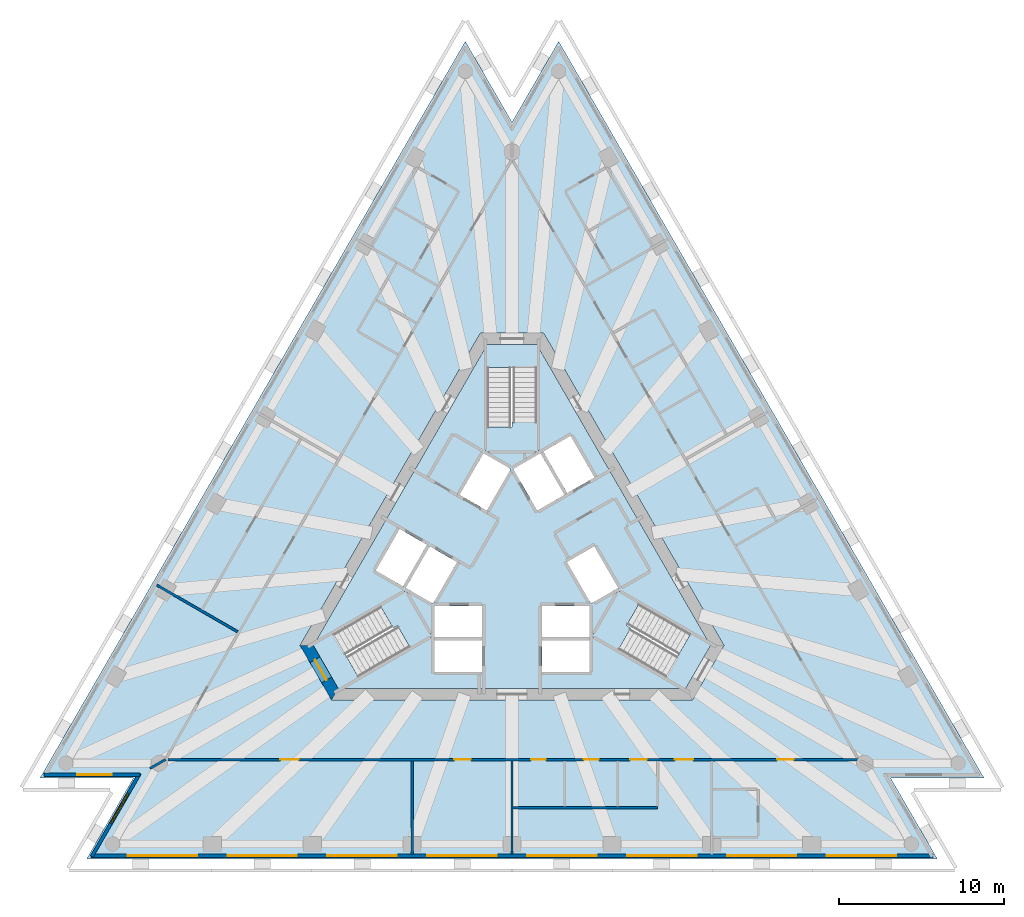
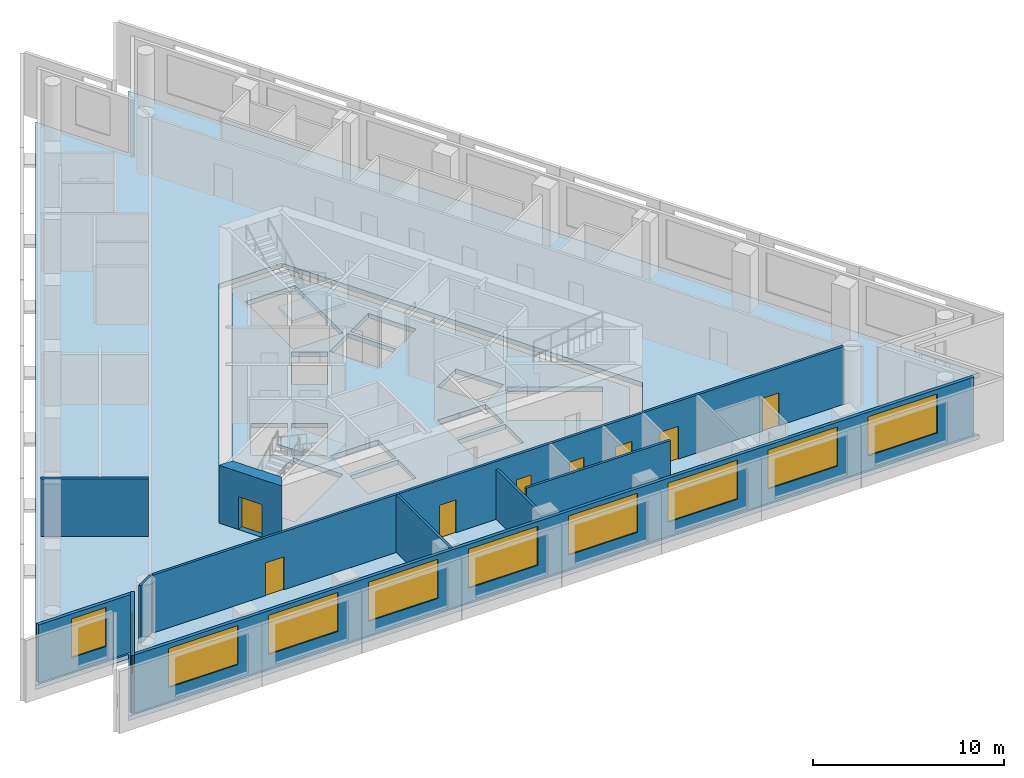
# One storey, part 2 of 9: 10 walls, 10 windows, 8 doors, 5 slabs, 18 openings, 3 elements without a shape of their own.
"""IFC4 building model written with IfcOpenShell, lengths in metres."""

from ifc_helpers import new_model, si_unit, direction, frame, frame_2d, origin, place, context, subcontext, project, spatial, polyline, rectangle, outline, extrude, material, layer, layer_set, layer_usage, type_object, element, fill, aggregate, save


model = new_model("IFC4")

# Units and contexts
model_context = context("Model", 3, precision=1e-05, world=origin(), true_north=direction((0.0, 1.0)))
body_context = subcontext(model_context, "Body", "Model", "MODEL_VIEW")
ifc_project = project(units=[si_unit("LENGTHUNIT", "METRE"), si_unit("AREAUNIT", "SQUARE_METRE"), si_unit("VOLUMEUNIT", "CUBIC_METRE"), si_unit("PLANEANGLEUNIT", "RADIAN"), si_unit("MASSUNIT", "GRAM", prefix="KILO")], contexts=[model_context])

# Site, building, storey
site_placement = place(None, origin())
site = spatial("IfcSite", under=ifc_project, at=site_placement, CompositionType="ELEMENT")
building_placement = place(site_placement, origin())
building = spatial("IfcBuilding", under=site, at=building_placement, Name="Triada Interchange Tower", CompositionType="ELEMENT")
storey_placement = place(building_placement, frame((0.0, 0.0, 215.300048828125)))
storey = spatial("IfcBuildingStorey", under=building, at=storey_placement, Name="L50", CompositionType="ELEMENT", Elevation=215.300048828125)

# Slabs
ifc_material_1 = material(Name="Concrete C50/60", Category="concrete")
ifc_layer_1 = layer(ifc_material_1, 0.300048828125)
ifc_layer_set_1 = layer_set([ifc_layer_1], Name="Floor slab 300")
slab_type_1 = type_object("IfcSlabType", Name="Floor slab 300", PredefinedType="FLOOR", material=ifc_layer_set_1)
slab_1_placement = place(storey_placement, frame((0.0, 0.0, -0.300048828125)))
element("IfcSlab", 1, at=slab_1_placement, inside=storey, type_object=slab_type_1, Name="Floor slab L50", PredefinedType="FLOOR", context=body_context, shape_type="SweptSolid", body=[
    extrude(outline(polyline([(-2.822998046875, 31.330078125), (-28.5439453125, -13.219970703125), (-22.89794921875, -13.219970703125), (-25.720947265625, -18.110107421875), (25.720947265625, -18.110107421875), (22.89794921875, -13.219970703125), (28.5439453125, -13.219970703125), (2.822998046875, 31.330078125), (0.0, 26.44091796875), (-2.822998046875, 31.330078125)]), holes=[polyline([(1.905029296875, 13.699951171875), (-1.905029296875, 13.699951171875), (-12.81689453125, -5.199951171875), (-10.912109375, -8.5), (10.912109375, -8.5), (12.81689453125, -5.199951171875), (1.905029296875, 13.699951171875)])]), origin(), (0.0, 0.0, 1.0), 0.300048828125),
])
slab_2_placement = place(storey_placement, frame((0.0, 0.0, -0.300048828125)))
element("IfcSlab", 2, at=slab_2_placement, inside=storey, type_object=slab_type_1, Name="Core floor slab L50 1", PredefinedType="FLOOR", context=body_context, shape_type="SweptSolid", body=[
    extrude(outline(polyline([(12.009033203125, -5.199951171875), (10.508056640625, -7.800048828125), (-10.508056640625, -7.800048828125), (-12.009033203125, -5.199951171875), (-1.5009765625, 13.0), (1.5009765625, 13.0), (12.009033203125, -5.199951171875)]), holes=[polyline([(9.2958984375, -7.09912109375), (10.7958984375, -4.5009765625), (6.466064453125, -2.0009765625), (4.966064453125, -4.59912109375), (9.2958984375, -7.09912109375)]), polyline([(4.77490234375, -2.669921875), (6.419921875, -1.719970703125), (4.969970703125, 0.791015625), (4.137939453125, 0.31103515625), (3.324951171875, -0.158935546875), (4.77490234375, -2.669921875)]), polyline([(1.89404296875, 6.52001953125), (3.343994140625, 4.009033203125), (4.989013671875, 4.958984375), (3.5390625, 7.469970703125), (1.89404296875, 6.52001953125)]), polyline([(1.800048828125, -4.89990234375), (1.800048828125, -6.4990234375), (1.800048828125, -6.800048828125), (4.699951171875, -6.800048828125), (4.699951171875, -4.89990234375), (1.800048828125, -4.89990234375)]), polyline([(4.699951171875, -2.800048828125), (1.800048828125, -2.800048828125), (1.800048828125, -4.699951171875), (4.699951171875, -4.699951171875), (4.699951171875, -2.800048828125)]), polyline([(0.074951171875, 5.469970703125), (1.52490234375, 2.958984375), (3.169921875, 3.908935546875), (1.719970703125, 6.419921875), (0.074951171875, 5.469970703125)]), polyline([(-1.5, 11.60009765625), (-1.5, 6.60009765625), (1.5, 6.60009765625), (1.5, 11.60009765625), (-1.5, 11.60009765625)]), polyline([(-1.52490234375, 2.958984375), (-0.074951171875, 5.469970703125), (-1.719970703125, 6.419921875), (-3.169921875, 3.908935546875), (-1.52490234375, 2.958984375)]), polyline([(-1.800048828125, -2.800048828125), (-4.699951171875, -2.800048828125), (-4.699951171875, -4.699951171875), (-1.800048828125, -4.699951171875), (-1.800048828125, -2.800048828125)]), polyline([(-4.699951171875, -6.800048828125), (-1.800048828125, -6.800048828125), (-1.800048828125, -6.4990234375), (-1.800048828125, -4.89990234375), (-4.699951171875, -4.89990234375), (-4.699951171875, -6.800048828125)]), polyline([(-3.367919921875, -0.134033203125), (-4.969970703125, 0.791015625), (-6.419921875, -1.719970703125), (-4.77490234375, -2.669921875), (-3.324951171875, -0.158935546875), (-3.367919921875, -0.134033203125)]), polyline([(-10.7958984375, -4.5009765625), (-9.2958984375, -7.09912109375), (-4.966064453125, -4.59912109375), (-6.466064453125, -2.0009765625), (-10.7958984375, -4.5009765625)]), polyline([(-6.593994140625, -1.6201171875), (-5.14404296875, 0.89111328125), (-6.7890625, 1.841064453125), (-8.239013671875, -0.669921875), (-6.593994140625, -1.6201171875)])]), origin(), (0.0, 0.0, 1.0), 0.300048828125),
])

# Stair, slab
ifc_material_2 = material(Name="Concrete C35/45", Category="concrete")
stair_type = type_object("IfcStairType", Name="HALF TURN STAIR 1400", PredefinedType="HALF_TURN_STAIR", material=ifc_material_2)
stair_1_placement = place(storey_placement, origin())
stair_1 = element("IfcStair", 3, at=stair_1_placement, inside=storey, type_object=stair_type, Name="Exit stair S50-1", PredefinedType="HALF_TURN_STAIR")
ifc_layer_2 = layer(ifc_material_2, 0.199951171875)
ifc_layer_set_2 = layer_set([ifc_layer_2], Name="STAIR LANDING 200")
slab_type_2 = type_object("IfcSlabType", Name="STAIR LANDING 200", PredefinedType="LANDING", material=ifc_layer_set_2)
slab_3_placement = place(storey_placement, frame((0.0, 0.0, 1.719970703125)))
slab_3 = element("IfcSlab", 4, at=slab_3_placement, type_object=slab_type_2, Name="S50-1 landing 1", PredefinedType="LANDING", context=body_context, shape_type="SweptSolid", body=[
    extrude(outline(polyline([(1.60009765625, 6.5), (1.60009765625, 8.300048828125), (0.0, 8.300048828125), (0.0, 8.0), (-1.60009765625, 8.0), (-1.60009765625, 6.5), (1.60009765625, 6.5)])), origin(), (0.0, 0.0, 1.0), 0.199951171875),
])
aggregate(stair_1, [slab_3])

stair_2_placement = place(storey_placement, origin())
stair_2 = element("IfcStair", 5, at=stair_2_placement, inside=storey, type_object=stair_type, Name="Exit stair S50-2", PredefinedType="HALF_TURN_STAIR")
slab_4_placement = place(storey_placement, frame((0.0, 0.0, 1.719970703125)))
slab_4 = element("IfcSlab", 6, at=slab_4_placement, type_object=slab_type_2, Name="S50-2 landing 1", PredefinedType="LANDING", context=body_context, shape_type="SweptSolid", body=[
    extrude(outline(polyline([(-6.428955078125, -1.864013671875), (-7.988037109375, -2.763916015625), (-7.18798828125, -4.14990234375), (-6.927978515625, -4.0), (-6.1279296875, -5.385986328125), (-4.8291015625, -4.635986328125), (-6.428955078125, -1.864013671875)])), origin(), (0.0, 0.0, 1.0), 0.199951171875),
])
aggregate(stair_2, [slab_4])

stair_3_placement = place(storey_placement, origin())
stair_3 = element("IfcStair", 7, at=stair_3_placement, inside=storey, type_object=stair_type, Name="Exit stair S50-3", PredefinedType="HALF_TURN_STAIR")
slab_5_placement = place(storey_placement, frame((0.0, 0.0, 1.719970703125)))
slab_5 = element("IfcSlab", 8, at=slab_5_placement, type_object=slab_type_2, Name="S50-3 landing 1", PredefinedType="LANDING", context=body_context, shape_type="SweptSolid", body=[
    extrude(outline(polyline([(4.8291015625, -4.635986328125), (6.387939453125, -5.535888671875), (7.18798828125, -4.14990234375), (6.927978515625, -4.0), (7.72802734375, -2.614013671875), (6.428955078125, -1.864013671875), (4.8291015625, -4.635986328125)])), origin(), (0.0, 0.0, 1.0), 0.199951171875),
])
aggregate(stair_3, [slab_5])

# Wall, opening, door
ifc_layer_3 = layer(ifc_material_1, 0.699951171875)
ifc_layer_set_3 = layer_set([ifc_layer_3], Name="Core wall C 700")
wall_type_1 = type_object("IfcWallType", Name="Core wall C 700", PredefinedType="SHEAR", material=ifc_layer_set_3)
wall_1_placement = place(storey_placement, frame((-12.4130859375, -5.199951171875, -0.300048828125), z_axis=(0.0, 0.0, 1.0), x_axis=(0.49999337185, -0.866029230515, 0.0)))
wall_1 = element("IfcWall", 9, at=wall_1_placement, inside=storey, type_object=wall_type_1, Name="Core wall WC03 L50", PredefinedType="SHEAR", context=body_context, shape_type="SweptSolid", body=[
    extrude(outline(polyline([(-0.201904296875, -0.35009765625), (1.703125, -0.35009765625), (3.60791015625, -0.35009765625), (3.2041015625, 0.35009765625), (1.703125, 0.35009765625), (0.201904296875, 0.35009765625), (-0.201904296875, -0.35009765625)])), origin(), (0.0, 0.0, 1.0), 4.0),
])
opening_1_placement = place(wall_1_placement, frame((1.0029296875, 0.0, 0.300048828125)))
opening_1 = element("IfcOpeningElement", 10, at=opening_1_placement, cuts=wall_1, Name="Opening D50-40", PredefinedType="OPENING", context=body_context, shape_type="SweptSolid", body=[
    extrude(rectangle(XDim=1.39990234375, YDim=2.10009765625, at=frame_2d((0.699951171875, 1.050048828125))), frame((0.0, 0.360107421875, 0.0), z_axis=(0.0, -1.0, 0.0), x_axis=(1.0, 0.0, 0.0)), (0.0, 0.0, 1.0), 0.72021484375),
])
ifc_material_3 = material(Name="Steel S235 door leaf", Category="steel")
door_type_1 = type_object("IfcDoorType", Name="STAIR DOOR 1400 EI2 90-C5S200", OperationType="DOUBLE_DOOR_SINGLE_SWING", PredefinedType="DOOR", material=ifc_material_3)
door_1_placement = place(opening_1_placement, origin())
door_1 = element("IfcDoor", 11, at=door_1_placement, inside=storey, type_object=door_type_1, Name="Door D50-40 L50", OperationType="DOUBLE_DOOR_SINGLE_SWING", OverallHeight=2.10009765625, OverallWidth=1.39990234375, PredefinedType="DOOR", context=body_context, shape_type="SweptSolid", body=[
    extrude(rectangle(XDim=1.39990234375, YDim=2.10009765625, at=frame_2d((0.699951171875, 1.050048828125))), frame((0.0, 0.02490234375, 0.0), z_axis=(0.0, -1.0, 0.0), x_axis=(1.0, 0.0, 0.0)), (0.0, 0.0, 1.0), 0.050048828125),
])
fill(opening_1, door_1)

# Wall, opening, window
ifc_material_4 = material(Name="Cement board")
ifc_layer_4 = layer(ifc_material_4, 0.02001953125, Name="Cement board cladding")
ifc_material_5 = material(Name="Sheathing board")
ifc_layer_5 = layer(ifc_material_5, 0.014892578125, Name="Sheathing board")
ifc_material_6 = material(Name="Mineral wool")
ifc_layer_6 = layer(ifc_material_6, 0.14990234375, Name="Mineral wool between steel studs")
ifc_material_7 = material(Name="Gypsum board")
ifc_layer_7 = layer(ifc_material_7, 0.014892578125, Name="Plasterboard lining")
ifc_layer_set_4 = layer_set([ifc_layer_4, ifc_layer_5, ifc_layer_6, ifc_layer_7], Name="External wall 200")
ifc_layer_usage = layer_usage(ifc_layer_set_4, "AXIS2", "POSITIVE", -0.10009765625)
wall_type_2 = type_object("IfcWallType", Name="External wall 200", PredefinedType="ELEMENTEDWALL", material=ifc_layer_set_4)
wall_2_placement = place(storey_placement, frame((-28.2880859375, -13.02001953125, 0.0), z_axis=(0.0, 0.0, 1.0), x_axis=(1.0, 0.0, 0.0)))
wall_2 = element("IfcWall", 12, at=wall_2_placement, inside=storey, type_object=wall_type_2, material=ifc_layer_usage, Name="External wall L50 SW-1", PredefinedType="ELEMENTEDWALL", context=body_context, shape_type="SweptSolid", body=[
    extrude(rectangle(XDim=5.80615234375, YDim=0.199951171875, at=frame_2d((2.903076171875, 0.0))), origin(), (0.0, 0.0, 1.0), 3.699951171875),
])
opening_2_placement = place(wall_2_placement, frame((1.989990234375, 0.0, 0.89990234375)))
opening_2 = element("IfcOpeningElement", 13, at=opening_2_placement, cuts=wall_2, Name="Opening WC09", PredefinedType="OPENING", context=body_context, shape_type="SweptSolid", body=[
    extrude(rectangle(XDim=2.10009765625, YDim=2.5, at=frame_2d((1.050048828125, 1.25))), frame((0.0, 0.10986328125, 0.0), z_axis=(0.0, -1.0, 0.0), x_axis=(1.0, 0.0, 0.0)), (0.0, 0.0, 1.0), 0.219970703125),
])
ifc_material_8 = material(Name="Double glazed aluminium window", Category="aluminium")
window_type_1 = type_object("IfcWindowType", Name="Ribbon window C pocket", PartitioningType="SINGLE_PANEL", PredefinedType="WINDOW", material=ifc_material_8)
window_1_placement = place(opening_2_placement, origin())
window_1 = element("IfcWindow", 14, at=window_1_placement, inside=storey, type_object=window_type_1, Name="Window L50 SW-1 1", OverallHeight=2.5, OverallWidth=2.10009765625, PartitioningType="SINGLE_PANEL", PredefinedType="WINDOW", context=body_context, shape_type="SweptSolid", body=[
    extrude(rectangle(XDim=2.10009765625, YDim=2.5, at=frame_2d((1.050048828125, 1.25))), frame((0.0, 0.030029296875, 0.0), z_axis=(0.0, -1.0, 0.0), x_axis=(1.0, 0.0, 0.0)), (0.0, 0.0, 1.0), 0.06005859375),
])
fill(opening_2, window_1)

wall_3_placement = place(storey_placement, frame((-22.507080078125, -12.94189453125, 0.0), z_axis=(0.0, 0.0, 1.0), x_axis=(-0.499910499212, -0.866077070922, 0.0)))
wall_3 = element("IfcWall", 15, at=wall_3_placement, inside=storey, type_object=wall_type_2, material=ifc_layer_usage, Name="External wall L50 SW-2", PredefinedType="ELEMENTEDWALL", context=body_context, shape_type="SweptSolid", body=[
    extrude(rectangle(XDim=5.806640625, YDim=0.199951171875, at=frame_2d((2.9033203125, 0.0))), origin(), (0.0, 0.0, 1.0), 3.699951171875),
])
opening_3_placement = place(wall_3_placement, frame((1.389892578125, 0.0, 0.89990234375)))
opening_3 = element("IfcOpeningElement", 16, at=opening_3_placement, cuts=wall_3, Name="Opening WC10", PredefinedType="OPENING", context=body_context, shape_type="SweptSolid", body=[
    extrude(rectangle(XDim=2.10009765625, YDim=2.5, at=frame_2d((1.050048828125, 1.25))), frame((0.0, 0.10986328125, 0.0), z_axis=(0.0, -1.0, 0.0), x_axis=(1.0, 0.0, 0.0)), (0.0, 0.0, 1.0), 0.219970703125),
])
window_2_placement = place(opening_3_placement, origin())
window_2 = element("IfcWindow", 17, at=window_2_placement, inside=storey, type_object=window_type_1, Name="Window L50 SW-2 1", OverallHeight=2.5, OverallWidth=2.10009765625, PartitioningType="SINGLE_PANEL", PredefinedType="WINDOW", context=body_context, shape_type="SweptSolid", body=[
    extrude(rectangle(XDim=2.10009765625, YDim=2.5, at=frame_2d((1.050048828125, 1.25))), frame((0.0, 0.030029296875, 0.0), z_axis=(0.0, -1.0, 0.0), x_axis=(1.0, 0.0, 0.0)), (0.0, 0.0, 1.0), 0.06005859375),
])
fill(opening_3, window_2)

# Wall, openings, windows
wall_4_placement = place(storey_placement, frame((-25.465087890625, -17.909912109375, 0.0), z_axis=(0.0, 0.0, 1.0), x_axis=(1.0, 0.0, 0.0)))
wall_4 = element("IfcWall", 18, at=wall_4_placement, inside=storey, type_object=wall_type_2, material=ifc_layer_usage, Name="External wall L50 S", PredefinedType="ELEMENTEDWALL", context=body_context, shape_type="SweptSolid", body=[
    extrude(rectangle(XDim=50.91015625, YDim=0.199951171875, at=frame_2d((25.455078125, 0.0))), origin(), (0.0, 0.0, 1.0), 3.699951171875),
])
opening_4_placement = place(wall_4_placement, frame((2.222900390625, 0.0, 0.89990234375)))
opening_4 = element("IfcOpeningElement", 19, at=opening_4_placement, cuts=wall_4, Name="Opening WC11", PredefinedType="OPENING", context=body_context, shape_type="SweptSolid", body=[
    extrude(rectangle(XDim=4.199951171875, YDim=2.5, at=frame_2d((2.10009765625, 1.25))), frame((0.0, 0.10986328125, 0.0), z_axis=(0.0, -1.0, 0.0), x_axis=(1.0, 0.0, 0.0)), (0.0, 0.0, 1.0), 0.219970703125),
])
opening_5_placement = place(wall_4_placement, frame((8.263916015625, 0.0, 0.89990234375)))
opening_5 = element("IfcOpeningElement", 20, at=opening_5_placement, cuts=wall_4, Name="Opening WC12", PredefinedType="OPENING", context=body_context, shape_type="SweptSolid", body=[
    extrude(rectangle(XDim=4.199951171875, YDim=2.5, at=frame_2d((2.10009765625, 1.25))), frame((0.0, 0.10986328125, 0.0), z_axis=(0.0, -1.0, 0.0), x_axis=(1.0, 0.0, 0.0)), (0.0, 0.0, 1.0), 0.219970703125),
])
opening_6_placement = place(wall_4_placement, frame((14.303955078125, 0.0, 0.89990234375)))
opening_6 = element("IfcOpeningElement", 21, at=opening_6_placement, cuts=wall_4, Name="Opening WC13", PredefinedType="OPENING", context=body_context, shape_type="SweptSolid", body=[
    extrude(rectangle(XDim=4.199951171875, YDim=2.5, at=frame_2d((2.10009765625, 1.25))), frame((0.0, 0.10986328125, 0.0), z_axis=(0.0, -1.0, 0.0), x_axis=(1.0, 0.0, 0.0)), (0.0, 0.0, 1.0), 0.219970703125),
])
opening_7_placement = place(wall_4_placement, frame((20.344970703125, 0.0, 0.89990234375)))
opening_7 = element("IfcOpeningElement", 22, at=opening_7_placement, cuts=wall_4, Name="Opening WC14", PredefinedType="OPENING", context=body_context, shape_type="SweptSolid", body=[
    extrude(rectangle(XDim=4.199951171875, YDim=2.5, at=frame_2d((2.10009765625, 1.25))), frame((0.0, 0.10986328125, 0.0), z_axis=(0.0, -1.0, 0.0), x_axis=(1.0, 0.0, 0.0)), (0.0, 0.0, 1.0), 0.219970703125),
])
opening_8_placement = place(wall_4_placement, frame((26.385009765625, 0.0, 0.89990234375)))
opening_8 = element("IfcOpeningElement", 23, at=opening_8_placement, cuts=wall_4, Name="Opening WC15", PredefinedType="OPENING", context=body_context, shape_type="SweptSolid", body=[
    extrude(rectangle(XDim=4.199951171875, YDim=2.5, at=frame_2d((2.10009765625, 1.25))), frame((0.0, 0.10986328125, 0.0), z_axis=(0.0, -1.0, 0.0), x_axis=(1.0, 0.0, 0.0)), (0.0, 0.0, 1.0), 0.219970703125),
])
opening_9_placement = place(wall_4_placement, frame((32.426025390625, 0.0, 0.89990234375)))
opening_9 = element("IfcOpeningElement", 24, at=opening_9_placement, cuts=wall_4, Name="Opening WC16", PredefinedType="OPENING", context=body_context, shape_type="SweptSolid", body=[
    extrude(rectangle(XDim=4.199951171875, YDim=2.5, at=frame_2d((2.10009765625, 1.25))), frame((0.0, 0.10986328125, 0.0), z_axis=(0.0, -1.0, 0.0), x_axis=(1.0, 0.0, 0.0)), (0.0, 0.0, 1.0), 0.219970703125),
])
opening_10_placement = place(wall_4_placement, frame((38.466064453125, 0.0, 0.89990234375)))
opening_10 = element("IfcOpeningElement", 25, at=opening_10_placement, cuts=wall_4, Name="Opening WC17", PredefinedType="OPENING", context=body_context, shape_type="SweptSolid", body=[
    extrude(rectangle(XDim=4.199951171875, YDim=2.5, at=frame_2d((2.10009765625, 1.25))), frame((0.0, 0.10986328125, 0.0), z_axis=(0.0, -1.0, 0.0), x_axis=(1.0, 0.0, 0.0)), (0.0, 0.0, 1.0), 0.219970703125),
])
opening_11_placement = place(wall_4_placement, frame((44.507080078125, 0.0, 0.89990234375)))
opening_11 = element("IfcOpeningElement", 26, at=opening_11_placement, cuts=wall_4, Name="Opening WC18", PredefinedType="OPENING", context=body_context, shape_type="SweptSolid", body=[
    extrude(rectangle(XDim=4.199951171875, YDim=2.5, at=frame_2d((2.10009765625, 1.25))), frame((0.0, 0.10986328125, 0.0), z_axis=(0.0, -1.0, 0.0), x_axis=(1.0, 0.0, 0.0)), (0.0, 0.0, 1.0), 0.219970703125),
])
window_type_2 = type_object("IfcWindowType", Name="Ribbon window C face", PartitioningType="SINGLE_PANEL", PredefinedType="WINDOW", material=ifc_material_8)
window_3_placement = place(opening_4_placement, origin())
window_3 = element("IfcWindow", 27, at=window_3_placement, inside=storey, type_object=window_type_2, Name="Window L50 S 1", OverallHeight=2.5, OverallWidth=4.199951171875, PartitioningType="SINGLE_PANEL", PredefinedType="WINDOW", context=body_context, shape_type="SweptSolid", body=[
    extrude(rectangle(XDim=4.199951171875, YDim=2.5, at=frame_2d((2.10009765625, 1.25))), frame((0.0, 0.030029296875, 0.0), z_axis=(0.0, -1.0, 0.0), x_axis=(1.0, 0.0, 0.0)), (0.0, 0.0, 1.0), 0.06005859375),
])
fill(opening_4, window_3)
window_4_placement = place(opening_5_placement, origin())
window_4 = element("IfcWindow", 28, at=window_4_placement, inside=storey, type_object=window_type_2, Name="Window L50 S 2", OverallHeight=2.5, OverallWidth=4.199951171875, PartitioningType="SINGLE_PANEL", PredefinedType="WINDOW", context=body_context, shape_type="SweptSolid", body=[
    extrude(rectangle(XDim=4.199951171875, YDim=2.5, at=frame_2d((2.10009765625, 1.25))), frame((0.0, 0.030029296875, 0.0), z_axis=(0.0, -1.0, 0.0), x_axis=(1.0, 0.0, 0.0)), (0.0, 0.0, 1.0), 0.06005859375),
])
fill(opening_5, window_4)
window_5_placement = place(opening_6_placement, origin())
window_5 = element("IfcWindow", 29, at=window_5_placement, inside=storey, type_object=window_type_2, Name="Window L50 S 3", OverallHeight=2.5, OverallWidth=4.199951171875, PartitioningType="SINGLE_PANEL", PredefinedType="WINDOW", context=body_context, shape_type="SweptSolid", body=[
    extrude(rectangle(XDim=4.199951171875, YDim=2.5, at=frame_2d((2.10009765625, 1.25))), frame((0.0, 0.030029296875, 0.0), z_axis=(0.0, -1.0, 0.0), x_axis=(1.0, 0.0, 0.0)), (0.0, 0.0, 1.0), 0.06005859375),
])
fill(opening_6, window_5)
window_6_placement = place(opening_7_placement, origin())
window_6 = element("IfcWindow", 30, at=window_6_placement, inside=storey, type_object=window_type_2, Name="Window L50 S 4", OverallHeight=2.5, OverallWidth=4.199951171875, PartitioningType="SINGLE_PANEL", PredefinedType="WINDOW", context=body_context, shape_type="SweptSolid", body=[
    extrude(rectangle(XDim=4.199951171875, YDim=2.5, at=frame_2d((2.10009765625, 1.25))), frame((0.0, 0.030029296875, 0.0), z_axis=(0.0, -1.0, 0.0), x_axis=(1.0, 0.0, 0.0)), (0.0, 0.0, 1.0), 0.06005859375),
])
fill(opening_7, window_6)
window_7_placement = place(opening_8_placement, origin())
window_7 = element("IfcWindow", 31, at=window_7_placement, inside=storey, type_object=window_type_2, Name="Window L50 S 5", OverallHeight=2.5, OverallWidth=4.199951171875, PartitioningType="SINGLE_PANEL", PredefinedType="WINDOW", context=body_context, shape_type="SweptSolid", body=[
    extrude(rectangle(XDim=4.199951171875, YDim=2.5, at=frame_2d((2.10009765625, 1.25))), frame((0.0, 0.030029296875, 0.0), z_axis=(0.0, -1.0, 0.0), x_axis=(1.0, 0.0, 0.0)), (0.0, 0.0, 1.0), 0.06005859375),
])
fill(opening_8, window_7)
window_8_placement = place(opening_9_placement, origin())
window_8 = element("IfcWindow", 32, at=window_8_placement, inside=storey, type_object=window_type_2, Name="Window L50 S 6", OverallHeight=2.5, OverallWidth=4.199951171875, PartitioningType="SINGLE_PANEL", PredefinedType="WINDOW", context=body_context, shape_type="SweptSolid", body=[
    extrude(rectangle(XDim=4.199951171875, YDim=2.5, at=frame_2d((2.10009765625, 1.25))), frame((0.0, 0.030029296875, 0.0), z_axis=(0.0, -1.0, 0.0), x_axis=(1.0, 0.0, 0.0)), (0.0, 0.0, 1.0), 0.06005859375),
])
fill(opening_9, window_8)
window_9_placement = place(opening_10_placement, origin())
window_9 = element("IfcWindow", 33, at=window_9_placement, inside=storey, type_object=window_type_2, Name="Window L50 S 7", OverallHeight=2.5, OverallWidth=4.199951171875, PartitioningType="SINGLE_PANEL", PredefinedType="WINDOW", context=body_context, shape_type="SweptSolid", body=[
    extrude(rectangle(XDim=4.199951171875, YDim=2.5, at=frame_2d((2.10009765625, 1.25))), frame((0.0, 0.030029296875, 0.0), z_axis=(0.0, -1.0, 0.0), x_axis=(1.0, 0.0, 0.0)), (0.0, 0.0, 1.0), 0.06005859375),
])
fill(opening_10, window_9)
window_10_placement = place(opening_11_placement, origin())
window_10 = element("IfcWindow", 34, at=window_10_placement, inside=storey, type_object=window_type_2, Name="Window L50 S 8", OverallHeight=2.5, OverallWidth=4.199951171875, PartitioningType="SINGLE_PANEL", PredefinedType="WINDOW", context=body_context, shape_type="SweptSolid", body=[
    extrude(rectangle(XDim=4.199951171875, YDim=2.5, at=frame_2d((2.10009765625, 1.25))), frame((0.0, 0.030029296875, 0.0), z_axis=(0.0, -1.0, 0.0), x_axis=(1.0, 0.0, 0.0)), (0.0, 0.0, 1.0), 0.06005859375),
])
fill(opening_11, window_10)

# Walls
ifc_material_9 = material(Name="Gypsum board partition")
ifc_layer_8 = layer(ifc_material_9, 0.14990234375)
ifc_layer_set_5 = layer_set([ifc_layer_8], Name="PARTITION 150 EI 180")
wall_type_3 = type_object("IfcWallType", Name="PARTITION 150 EI 180", PredefinedType="PARTITIONING", material=ifc_layer_set_5)
wall_5_placement = place(storey_placement, frame((-21.8759765625, -12.6298828125, 0.0), z_axis=(0.0, 0.0, 1.0), x_axis=(0.865940358422, 0.500147273966, 0.0)))
element("IfcWall", 35, at=wall_5_placement, inside=storey, type_object=wall_type_3, Name="Wall L50 1", PredefinedType="PARTITIONING", context=body_context, shape_type="SweptSolid", body=[
    extrude(rectangle(XDim=1.061279296875, YDim=0.14990234375, at=frame_2d((0.53076171875, 0.0))), origin(), (0.0, 0.0, 1.0), 3.699951171875),
])
wall_6_placement = place(storey_placement, frame((-21.48095703125, -1.548095703125, 0.0), z_axis=(0.0, 0.0, 1.0), x_axis=(0.866053291823, -0.49995169339, 0.0)))
element("IfcWall", 36, at=wall_6_placement, inside=storey, type_object=wall_type_3, Name="Wall L50 3", PredefinedType="PARTITIONING", context=body_context, shape_type="SweptSolid", body=[
    extrude(rectangle(XDim=5.654296875, YDim=0.14990234375, at=frame_2d((2.8271484375, 0.0))), origin(), (0.0, 0.0, 1.0), 3.699951171875),
])

# Wall, openings, doors
wall_7_placement = place(storey_placement, frame((-20.80810546875, -12.10009765625, 0.0), z_axis=(0.0, 0.0, 1.0), x_axis=(1.0, 0.0, 0.0)))
wall_7 = element("IfcWall", 37, at=wall_7_placement, inside=storey, type_object=wall_type_3, Name="Wall L50 5", PredefinedType="PARTITIONING", context=body_context, shape_type="SweptSolid", body=[
    extrude(rectangle(XDim=41.76611328125, YDim=0.14990234375, at=frame_2d((20.883056640625, 0.0))), origin(), (0.0, 0.0, 1.0), 3.699951171875),
])
opening_12_placement = place(wall_7_placement, frame((6.800048828125, 0.0, 0.0)))
opening_12 = element("IfcOpeningElement", 38, at=opening_12_placement, cuts=wall_7, Name="Opening D50-11", PredefinedType="OPENING", context=body_context, shape_type="SweptSolid", body=[
    extrude(rectangle(XDim=1.10009765625, YDim=2.10009765625, at=frame_2d((0.550048828125, 1.050048828125))), frame((0.0, 0.0849609375, 0.0), z_axis=(0.0, -1.0, 0.0), x_axis=(1.0, 0.0, 0.0)), (0.0, 0.0, 1.0), 0.169921875),
])
opening_13_placement = place(wall_7_placement, frame((17.31689453125, 0.0, 0.0)))
opening_13 = element("IfcOpeningElement", 39, at=opening_13_placement, cuts=wall_7, Name="Opening D50-12", PredefinedType="OPENING", context=body_context, shape_type="SweptSolid", body=[
    extrude(rectangle(XDim=1.0, YDim=2.10009765625, at=frame_2d((0.5, 1.050048828125))), frame((0.0, 0.0849609375, 0.0), z_axis=(0.0, -1.0, 0.0), x_axis=(1.0, 0.0, 0.0)), (0.0, 0.0, 1.0), 0.169921875),
])
opening_14_placement = place(wall_7_placement, frame((30.657958984375, 0.0, 0.0)))
opening_14 = element("IfcOpeningElement", 40, at=opening_14_placement, cuts=wall_7, Name="Opening D50-13", PredefinedType="OPENING", context=body_context, shape_type="SweptSolid", body=[
    extrude(rectangle(XDim=1.10009765625, YDim=2.10009765625, at=frame_2d((0.550048828125, 1.050048828125))), frame((0.0, 0.0849609375, 0.0), z_axis=(0.0, -1.0, 0.0), x_axis=(1.0, 0.0, 0.0)), (0.0, 0.0, 1.0), 0.169921875),
])
opening_15_placement = place(wall_7_placement, frame((21.9580078125, 0.0, 0.0)))
opening_15 = element("IfcOpeningElement", 41, at=opening_15_placement, cuts=wall_7, Name="Opening D50-14", PredefinedType="OPENING", context=body_context, shape_type="SweptSolid", body=[
    extrude(rectangle(XDim=0.89990234375, YDim=2.10009765625, at=frame_2d((0.449951171875, 1.050048828125))), frame((0.0, 0.0849609375, 0.0), z_axis=(0.0, -1.0, 0.0), x_axis=(1.0, 0.0, 0.0)), (0.0, 0.0, 1.0), 0.169921875),
])
opening_16_placement = place(wall_7_placement, frame((25.157958984375, 0.0, 0.0)))
opening_16 = element("IfcOpeningElement", 42, at=opening_16_placement, cuts=wall_7, Name="Opening D50-15", PredefinedType="OPENING", context=body_context, shape_type="SweptSolid", body=[
    extrude(rectangle(XDim=0.89990234375, YDim=2.10009765625, at=frame_2d((0.449951171875, 1.050048828125))), frame((0.0, 0.0849609375, 0.0), z_axis=(0.0, -1.0, 0.0), x_axis=(1.0, 0.0, 0.0)), (0.0, 0.0, 1.0), 0.169921875),
])
opening_17_placement = place(wall_7_placement, frame((27.9580078125, 0.0, 0.0)))
opening_17 = element("IfcOpeningElement", 43, at=opening_17_placement, cuts=wall_7, Name="Opening D50-16", PredefinedType="OPENING", context=body_context, shape_type="SweptSolid", body=[
    extrude(rectangle(XDim=1.0, YDim=2.10009765625, at=frame_2d((0.5, 1.050048828125))), frame((0.0, 0.0849609375, 0.0), z_axis=(0.0, -1.0, 0.0), x_axis=(1.0, 0.0, 0.0)), (0.0, 0.0, 1.0), 0.169921875),
])
opening_18_placement = place(wall_7_placement, frame((36.839111328125, 0.0, 0.0)))
opening_18 = element("IfcOpeningElement", 44, at=opening_18_placement, cuts=wall_7, Name="Opening D50-17", PredefinedType="OPENING", context=body_context, shape_type="SweptSolid", body=[
    extrude(rectangle(XDim=1.0, YDim=2.10009765625, at=frame_2d((0.5, 1.050048828125))), frame((0.0, 0.0849609375, 0.0), z_axis=(0.0, -1.0, 0.0), x_axis=(1.0, 0.0, 0.0)), (0.0, 0.0, 1.0), 0.169921875),
])
door_type_2 = type_object("IfcDoorType", Name="ROOM DOOR 1000 EI2 90-C5S200", OperationType="NOTDEFINED", PredefinedType="DOOR", material=ifc_material_3)
door_2_placement = place(opening_13_placement, origin())
door_2 = element("IfcDoor", 45, at=door_2_placement, inside=storey, type_object=door_type_2, Name="Door D50-12 L50", OperationType="SINGLE_SWING_RIGHT", OverallHeight=2.10009765625, OverallWidth=1.0, PredefinedType="DOOR", context=body_context, shape_type="SweptSolid", body=[
    extrude(rectangle(XDim=1.0, YDim=2.10009765625, at=frame_2d((0.5, 1.050048828125))), frame((0.0, 0.02490234375, 0.0), z_axis=(0.0, -1.0, 0.0), x_axis=(1.0, 0.0, 0.0)), (0.0, 0.0, 1.0), 0.050048828125),
])
fill(opening_13, door_2)
door_3_placement = place(opening_17_placement, origin())
door_3 = element("IfcDoor", 46, at=door_3_placement, inside=storey, type_object=door_type_2, Name="Door D50-16 L50", OperationType="SINGLE_SWING_RIGHT", OverallHeight=2.10009765625, OverallWidth=1.0, PredefinedType="DOOR", context=body_context, shape_type="SweptSolid", body=[
    extrude(rectangle(XDim=1.0, YDim=2.10009765625, at=frame_2d((0.5, 1.050048828125))), frame((0.0, 0.02490234375, 0.0), z_axis=(0.0, -1.0, 0.0), x_axis=(1.0, 0.0, 0.0)), (0.0, 0.0, 1.0), 0.050048828125),
])
fill(opening_17, door_3)
door_4_placement = place(opening_18_placement, origin())
door_4 = element("IfcDoor", 47, at=door_4_placement, inside=storey, type_object=door_type_2, Name="Door D50-17 L50", OperationType="SINGLE_SWING_LEFT", OverallHeight=2.10009765625, OverallWidth=1.0, PredefinedType="DOOR", context=body_context, shape_type="SweptSolid", body=[
    extrude(rectangle(XDim=1.0, YDim=2.10009765625, at=frame_2d((0.5, 1.050048828125))), frame((0.0, 0.02490234375, 0.0), z_axis=(0.0, -1.0, 0.0), x_axis=(1.0, 0.0, 0.0)), (0.0, 0.0, 1.0), 0.050048828125),
])
fill(opening_18, door_4)
door_type_3 = type_object("IfcDoorType", Name="ROOM DOOR 900 EI2 90-C5S200", OperationType="NOTDEFINED", PredefinedType="DOOR", material=ifc_material_3)
door_5_placement = place(opening_15_placement, origin())
door_5 = element("IfcDoor", 48, at=door_5_placement, inside=storey, type_object=door_type_3, Name="Door D50-14 L50", OperationType="SINGLE_SWING_RIGHT", OverallHeight=2.10009765625, OverallWidth=0.89990234375, PredefinedType="DOOR", context=body_context, shape_type="SweptSolid", body=[
    extrude(rectangle(XDim=0.89990234375, YDim=2.10009765625, at=frame_2d((0.449951171875, 1.050048828125))), frame((0.0, 0.02490234375, 0.0), z_axis=(0.0, -1.0, 0.0), x_axis=(1.0, 0.0, 0.0)), (0.0, 0.0, 1.0), 0.050048828125),
])
fill(opening_15, door_5)
door_6_placement = place(opening_16_placement, origin())
door_6 = element("IfcDoor", 49, at=door_6_placement, inside=storey, type_object=door_type_3, Name="Door D50-15 L50", OperationType="SINGLE_SWING_RIGHT", OverallHeight=2.10009765625, OverallWidth=0.89990234375, PredefinedType="DOOR", context=body_context, shape_type="SweptSolid", body=[
    extrude(rectangle(XDim=0.89990234375, YDim=2.10009765625, at=frame_2d((0.449951171875, 1.050048828125))), frame((0.0, 0.02490234375, 0.0), z_axis=(0.0, -1.0, 0.0), x_axis=(1.0, 0.0, 0.0)), (0.0, 0.0, 1.0), 0.050048828125),
])
fill(opening_16, door_6)
door_type_4 = type_object("IfcDoorType", Name="TENANCY ENTRANCE DOOR 1100 EI2 90-C5S200", OperationType="NOTDEFINED", PredefinedType="DOOR", material=ifc_material_3)
door_7_placement = place(opening_12_placement, origin())
door_7 = element("IfcDoor", 50, at=door_7_placement, inside=storey, type_object=door_type_4, Name="Door D50-11 L50", OperationType="SINGLE_SWING_RIGHT", OverallHeight=2.10009765625, OverallWidth=1.10009765625, PredefinedType="DOOR", context=body_context, shape_type="SweptSolid", body=[
    extrude(rectangle(XDim=1.10009765625, YDim=2.10009765625, at=frame_2d((0.550048828125, 1.050048828125))), frame((0.0, 0.02490234375, 0.0), z_axis=(0.0, -1.0, 0.0), x_axis=(1.0, 0.0, 0.0)), (0.0, 0.0, 1.0), 0.050048828125),
])
fill(opening_12, door_7)
door_8_placement = place(opening_14_placement, origin())
door_8 = element("IfcDoor", 51, at=door_8_placement, inside=storey, type_object=door_type_4, Name="Door D50-13 L50", OperationType="SINGLE_SWING_LEFT", OverallHeight=2.10009765625, OverallWidth=1.10009765625, PredefinedType="DOOR", context=body_context, shape_type="SweptSolid", body=[
    extrude(rectangle(XDim=1.10009765625, YDim=2.10009765625, at=frame_2d((0.550048828125, 1.050048828125))), frame((0.0, 0.02490234375, 0.0), z_axis=(0.0, -1.0, 0.0), x_axis=(1.0, 0.0, 0.0)), (0.0, 0.0, 1.0), 0.050048828125),
])
fill(opening_14, door_8)

# Walls
wall_8_placement = place(storey_placement, frame((-6.041015625, -17.830078125, 0.0), z_axis=(0.0, 0.0, 1.0), x_axis=(0.0, 1.0, 0.0)))
element("IfcWall", 52, at=wall_8_placement, inside=storey, type_object=wall_type_3, Name="Wall L50 12", PredefinedType="PARTITIONING", context=body_context, shape_type="SweptSolid", body=[
    extrude(rectangle(XDim=5.655029296875, YDim=0.14990234375, at=frame_2d((2.82763671875, 0.0))), origin(), (0.0, 0.0, 1.0), 3.699951171875),
])
wall_9_placement = place(storey_placement, frame((0.0, -17.830078125, 0.0), z_axis=(0.0, 0.0, 1.0), x_axis=(0.0, 1.0, 0.0)))
element("IfcWall", 53, at=wall_9_placement, inside=storey, type_object=wall_type_3, Name="Wall L50 13", PredefinedType="PARTITIONING", context=body_context, shape_type="SweptSolid", body=[
    extrude(rectangle(XDim=5.655029296875, YDim=0.14990234375, at=frame_2d((2.82763671875, 0.0))), origin(), (0.0, 0.0, 1.0), 3.199951171875),
])
wall_10_placement = place(storey_placement, frame((0.074951171875, -15.0048828125, 0.0), z_axis=(0.0, 0.0, 1.0), x_axis=(1.0, 0.0, 0.0)))
element("IfcWall", 54, at=wall_10_placement, inside=storey, type_object=wall_type_3, Name="Wall L50 15", PredefinedType="PARTITIONING", context=body_context, shape_type="SweptSolid", body=[
    extrude(rectangle(XDim=8.72509765625, YDim=0.14990234375, at=frame_2d((4.362548828125, 0.0))), origin(), (0.0, 0.0, 1.0), 3.699951171875),
])

save(model, "model.ifc")
